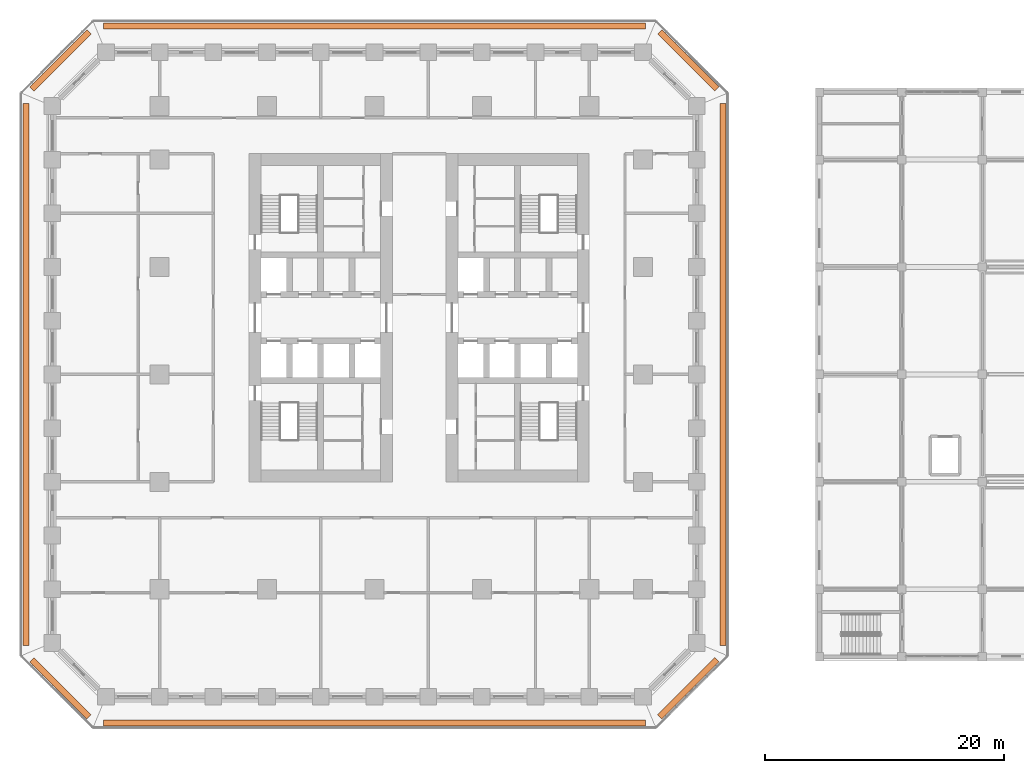
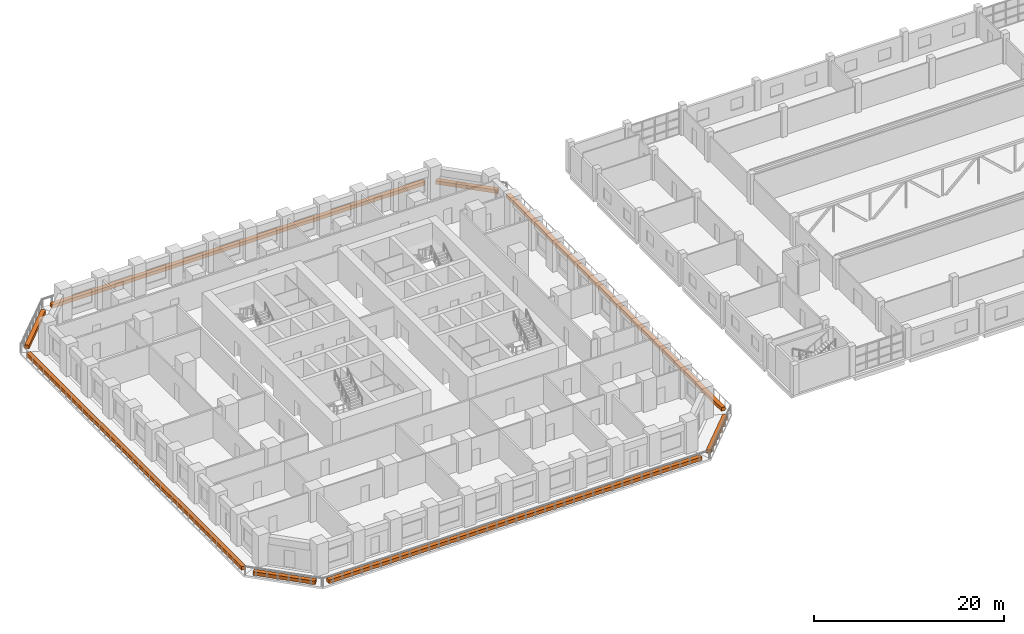
# One storey, part 42 of 42: 8 proxies.
"""IFC4 building model written with IfcOpenShell, lengths in metres."""

from ifc_helpers import new_model, si_unit, direction, frame, origin, origin_2d, place, context, subcontext, project, spatial, rectangle, extrude, material, type_object, element, save


model = new_model("IFC4")

# Units and contexts
model_context = context("Model", 3, precision=1e-05, world=origin(), true_north=direction((0.0, 1.0)))
body_context = subcontext(model_context, "Body", "Model", "MODEL_VIEW")
ifc_project = project(units=[si_unit("LENGTHUNIT", "METRE"), si_unit("AREAUNIT", "SQUARE_METRE"), si_unit("VOLUMEUNIT", "CUBIC_METRE"), si_unit("PLANEANGLEUNIT", "RADIAN"), si_unit("MASSUNIT", "GRAM", prefix="KILO")], contexts=[model_context])

# Site, building, storey
site_placement = place(None, origin())
site = spatial("IfcSite", under=ifc_project, at=site_placement, CompositionType="ELEMENT")
building_placement = place(site_placement, origin())
building = spatial("IfcBuilding", under=site, at=building_placement, Name="Corbel Stack Research Tower", CompositionType="ELEMENT")
storey_placement = place(building_placement, frame((0.0, 0.0, 11.300048828125)))
storey = spatial("IfcBuildingStorey", under=building, at=storey_placement, Name="L02", CompositionType="ELEMENT", Elevation=11.300048828125)

# Proxies
ifc_material = material(Name="Concrete C45/55", Category="concrete")
building_element_proxy_type = type_object("IfcBuildingElementProxyType", Name="Planter box", PredefinedType="USERDEFINED", material=ifc_material)
proxy_1_placement = place(storey_placement, frame((0.0, -29.199951171875, 0.0), z_axis=(0.0, 0.0, 1.0), x_axis=(1.0, 0.0, 0.0)))
element("IfcBuildingElementProxy", 1, at=proxy_1_placement, inside=storey, type_object=building_element_proxy_type, Name="Planter L02 S", ObjectType="PLANTER", PredefinedType="USERDEFINED", context=body_context, shape_type="SweptSolid", body=[
    extrude(rectangle(XDim=45.41064453125, YDim=0.5, at=origin_2d()), origin(), (0.0, 0.0, 1.0), 0.449951171875),
])
proxy_2_placement = place(storey_placement, frame((26.3056640625, -26.3056640625, 0.0), z_axis=(0.0, 0.0, 1.0), x_axis=(0.707106781187, 0.707106781187, 0.0)))
element("IfcBuildingElementProxy", 2, at=proxy_2_placement, inside=storey, type_object=building_element_proxy_type, Name="Planter L02 SE", ObjectType="PLANTER", PredefinedType="USERDEFINED", context=body_context, shape_type="SweptSolid", body=[
    extrude(rectangle(XDim=6.774658203125, YDim=0.5, at=origin_2d()), origin(), (0.0, 0.0, 1.0), 0.449951171875),
])
proxy_3_placement = place(storey_placement, frame((29.199951171875, 0.0, 0.0), z_axis=(0.0, 0.0, 1.0), x_axis=(0.0, 1.0, 0.0)))
element("IfcBuildingElementProxy", 3, at=proxy_3_placement, inside=storey, type_object=building_element_proxy_type, Name="Planter L02 E", ObjectType="PLANTER", PredefinedType="USERDEFINED", context=body_context, shape_type="SweptSolid", body=[
    extrude(rectangle(XDim=45.41064453125, YDim=0.5, at=origin_2d()), origin(), (0.0, 0.0, 1.0), 0.449951171875),
])
proxy_4_placement = place(storey_placement, frame((26.3056640625, 26.3056640625, 0.0), z_axis=(0.0, 0.0, 1.0), x_axis=(-0.707106781187, 0.707106781187, 0.0)))
element("IfcBuildingElementProxy", 4, at=proxy_4_placement, inside=storey, type_object=building_element_proxy_type, Name="Planter L02 NE", ObjectType="PLANTER", PredefinedType="USERDEFINED", context=body_context, shape_type="SweptSolid", body=[
    extrude(rectangle(XDim=6.774658203125, YDim=0.5, at=origin_2d()), origin(), (0.0, 0.0, 1.0), 0.449951171875),
])
proxy_5_placement = place(storey_placement, frame((0.0, 29.199951171875, 0.0), z_axis=(0.0, 0.0, 1.0), x_axis=(-1.0, 0.0, 0.0)))
element("IfcBuildingElementProxy", 5, at=proxy_5_placement, inside=storey, type_object=building_element_proxy_type, Name="Planter L02 N", ObjectType="PLANTER", PredefinedType="USERDEFINED", context=body_context, shape_type="SweptSolid", body=[
    extrude(rectangle(XDim=45.41064453125, YDim=0.5, at=origin_2d()), origin(), (0.0, 0.0, 1.0), 0.449951171875),
])
proxy_6_placement = place(storey_placement, frame((-26.3056640625, 26.3056640625, 0.0), z_axis=(0.0, 0.0, 1.0), x_axis=(-0.707106781187, -0.707106781187, 0.0)))
element("IfcBuildingElementProxy", 6, at=proxy_6_placement, inside=storey, type_object=building_element_proxy_type, Name="Planter L02 NW", ObjectType="PLANTER", PredefinedType="USERDEFINED", context=body_context, shape_type="SweptSolid", body=[
    extrude(rectangle(XDim=6.774658203125, YDim=0.5, at=origin_2d()), origin(), (0.0, 0.0, 1.0), 0.449951171875),
])
proxy_7_placement = place(storey_placement, frame((-29.199951171875, 0.0, 0.0), z_axis=(0.0, 0.0, 1.0), x_axis=(0.0, -1.0, 0.0)))
element("IfcBuildingElementProxy", 7, at=proxy_7_placement, inside=storey, type_object=building_element_proxy_type, Name="Planter L02 W", ObjectType="PLANTER", PredefinedType="USERDEFINED", context=body_context, shape_type="SweptSolid", body=[
    extrude(rectangle(XDim=45.41064453125, YDim=0.5, at=origin_2d()), origin(), (0.0, 0.0, 1.0), 0.449951171875),
])
proxy_8_placement = place(storey_placement, frame((-26.3056640625, -26.3056640625, 0.0), z_axis=(0.0, 0.0, 1.0), x_axis=(0.707106781187, -0.707106781187, 0.0)))
element("IfcBuildingElementProxy", 8, at=proxy_8_placement, inside=storey, type_object=building_element_proxy_type, Name="Planter L02 SW", ObjectType="PLANTER", PredefinedType="USERDEFINED", context=body_context, shape_type="SweptSolid", body=[
    extrude(rectangle(XDim=6.774658203125, YDim=0.5, at=origin_2d()), origin(), (0.0, 0.0, 1.0), 0.449951171875),
])

save(model, "model.ifc")
